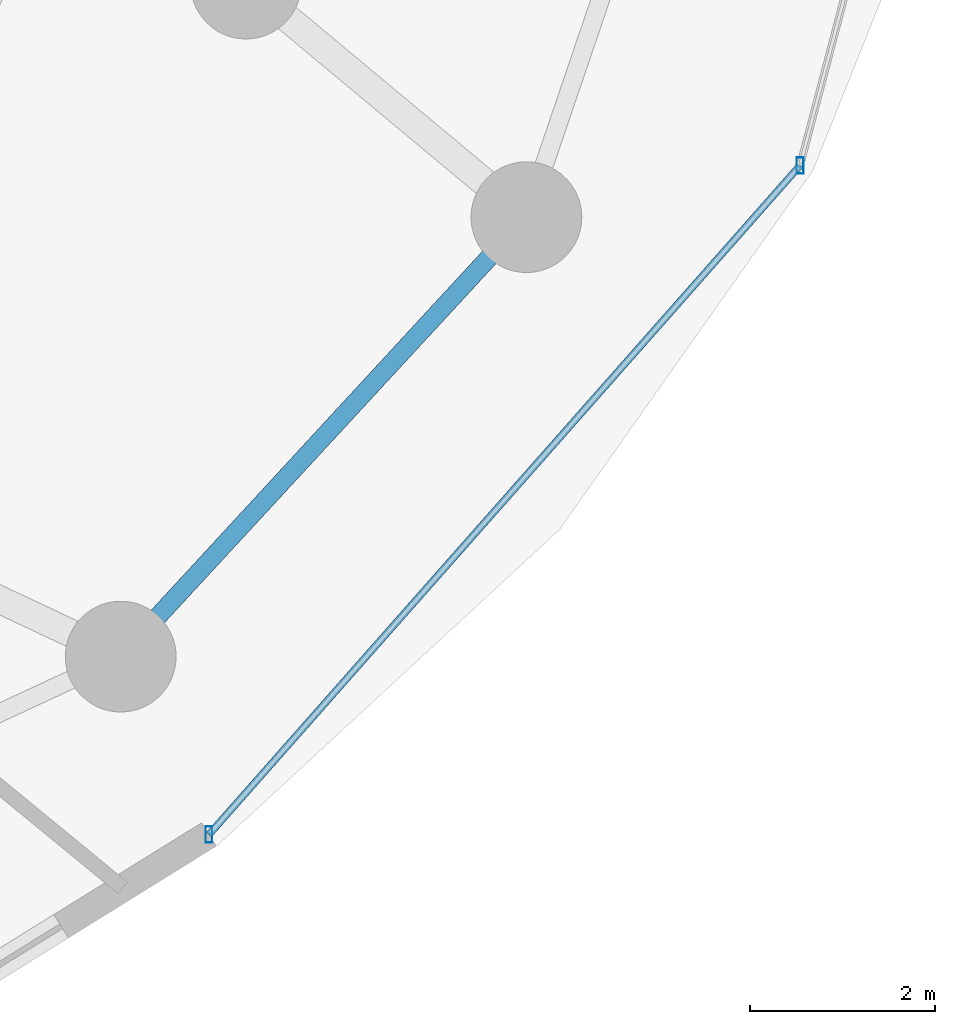
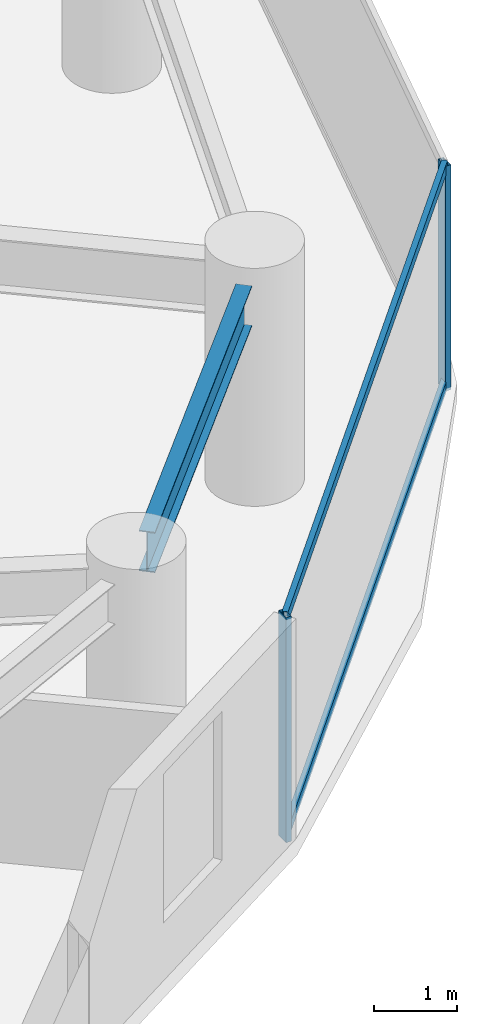
# One storey, part 13 of 33: 4 members, 1 beam, 1 element without a shape of its own.
"""IFC4 building model written with IfcOpenShell, lengths in metres."""

from ifc_helpers import new_model, si_unit, direction, frame, origin, origin_2d, place, context, subcontext, project, spatial, hollow_rectangle, i_section, extrude, material, material_profile, profile_set, type_object, element, aggregate, save


model = new_model("IFC4")

# Units and contexts
model_context = context("Model", 3, precision=1e-05, world=origin(), true_north=direction((0.0, 1.0)))
body_context = subcontext(model_context, "Body", "Model", "MODEL_VIEW")
ifc_project = project(units=[si_unit("LENGTHUNIT", "METRE"), si_unit("AREAUNIT", "SQUARE_METRE"), si_unit("VOLUMEUNIT", "CUBIC_METRE"), si_unit("PLANEANGLEUNIT", "RADIAN"), si_unit("MASSUNIT", "GRAM", prefix="KILO")], contexts=[model_context])

# Site, building, storey
site_placement = place(None, origin())
site = spatial("IfcSite", under=ifc_project, at=site_placement, CompositionType="ELEMENT")
building_placement = place(site_placement, origin())
building = spatial("IfcBuilding", under=site, at=building_placement, Name="Vorneva Point Tower", CompositionType="ELEMENT")
storey_placement = place(building_placement, frame((0.0, 0.0, 59.0)))
storey = spatial("IfcBuildingStorey", under=building, at=storey_placement, Name="L15", CompositionType="ELEMENT", Elevation=59.0)

# Beam
ifc_material_1 = material(Name="Steel S355", Category="steel")
ifc_material_profile_1 = material_profile(ifc_material_1, i_section(OverallWidth=0.198974609375, OverallDepth=0.595947265625, WebThickness=0.010009765625, FlangeThickness=0.014892578125, at=origin_2d()), Name="60B1")
ifc_profile_set_1 = profile_set([ifc_material_profile_1], Name="Steel S355")
beam_type = type_object("IfcBeamType", Name="BM-SPN-60B1", PredefinedType="SPANDREL", material=ifc_profile_set_1)
beam_placement = place(storey_placement, frame((58.33544921875, 12.553955078125, 2.94189453125), z_axis=(0.678272466193, 0.734810493668, 0.0), x_axis=(-0.734810493668, 0.678272466193, 0.0)))
element("IfcBeam", 1, at=beam_placement, inside=storey, type_object=beam_type, Name="L15 Perimeter Spandrel Ring Beam 15", PredefinedType="SPANDREL", context=body_context, shape_type="SweptSolid", body=[
    extrude(i_section(OverallWidth=0.198974609375, OverallDepth=0.595947265625, WebThickness=0.010009765625, FlangeThickness=0.014892578125, at=origin_2d()), origin(), (0.0, 0.0, 1.0), 5.311279296875),
])

# Curtain wall, members
ifc_material_2 = material(Name="Pale anodised aluminium", Category="aluminium")
curtain_wall_type = type_object("IfcCurtainWallType", Name="CW-HTL-SYS", PredefinedType="NOTDEFINED", material=ifc_material_2)
curtain_wall_placement = place(storey_placement, origin())
curtain_wall = element("IfcCurtainWall", 2, at=curtain_wall_placement, inside=storey, type_object=curtain_wall_type, Name="L15 Unitised Curtain Wall CW-L15-R01", PredefinedType="NOTDEFINED")
ifc_material_profile_2 = material_profile(ifc_material_2, hollow_rectangle(XDim=0.074951171875, YDim=0.179931640625, WallThickness=0.00390625, at=origin_2d()), Name="AL-MUL 180x75x4")
ifc_profile_set_2 = profile_set([ifc_material_profile_2], Name="Pale anodised aluminium")
member_type_1 = type_object("IfcMemberType", Name="CW-MUL-180", PredefinedType="MULLION", material=ifc_profile_set_2)
member_1_placement = place(storey_placement, frame((58.89501953125, 10.1962890625, -0.0400390625), z_axis=(0.0, 0.0, 1.0), x_axis=(1.0, 0.0, 0.0)))
member_1 = element("IfcMember", 3, at=member_1_placement, type_object=member_type_1, Name="CW-L15-R01 Mullion 01", PredefinedType="MULLION", context=body_context, shape_type="SweptSolid", body=[
    extrude(hollow_rectangle(XDim=0.074951171875, YDim=0.179931640625, WallThickness=0.00390625, at=origin_2d()), origin(), (0.0, 0.0, 1.0), 3.31005859375),
])
member_2_placement = place(storey_placement, frame((65.300537109375, 17.447021484375, -0.0400390625), z_axis=(0.0, 0.0, 1.0), x_axis=(1.0, 0.0, 0.0)))
member_2 = element("IfcMember", 4, at=member_2_placement, type_object=member_type_1, Name="CW-L15-R01 Mullion 02", PredefinedType="MULLION", context=body_context, shape_type="SweptSolid", body=[
    extrude(hollow_rectangle(XDim=0.074951171875, YDim=0.179931640625, WallThickness=0.00390625, at=origin_2d()), origin(), (0.0, 0.0, 1.0), 3.31005859375),
])
ifc_material_profile_3 = material_profile(ifc_material_2, hollow_rectangle(XDim=0.074951171875, YDim=0.14990234375, WallThickness=0.00390625, at=origin_2d()), Name="AL-TRN 150x75x4")
ifc_profile_set_3 = profile_set([ifc_material_profile_3], Name="Pale anodised aluminium")
member_type_2 = type_object("IfcMemberType", Name="CW-TRN-150", PredefinedType="USERDEFINED", material=ifc_profile_set_3)
member_3_placement = place(storey_placement, frame((58.89501953125, 10.1962890625, 0.02001953125), z_axis=(0.662075539029, 0.749437109182, 0.0), x_axis=(-0.749437109182, 0.662075539029, 0.0)))
member_3 = element("IfcMember", 5, at=member_3_placement, type_object=member_type_2, Name="CW-L15-R01 Transom 01.1", ObjectType="TRANSOM", PredefinedType="USERDEFINED", context=body_context, shape_type="SweptSolid", body=[
    extrude(hollow_rectangle(XDim=0.074951171875, YDim=0.14990234375, WallThickness=0.00390625, at=origin_2d()), origin(), (0.0, 0.0, 1.0), 9.6748046875),
])
member_4_placement = place(storey_placement, frame((58.89501953125, 10.1962890625, 3.219970703125), z_axis=(0.662075539029, 0.749437109182, 0.0), x_axis=(-0.749437109182, 0.662075539029, 0.0)))
member_4 = element("IfcMember", 6, at=member_4_placement, type_object=member_type_2, Name="CW-L15-R01 Transom 01.2", ObjectType="TRANSOM", PredefinedType="USERDEFINED", context=body_context, shape_type="SweptSolid", body=[
    extrude(hollow_rectangle(XDim=0.074951171875, YDim=0.14990234375, WallThickness=0.00390625, at=origin_2d()), origin(), (0.0, 0.0, 1.0), 9.6748046875),
])
aggregate(curtain_wall, [member_1, member_2, member_3, member_4])

save(model, "model.ifc")
